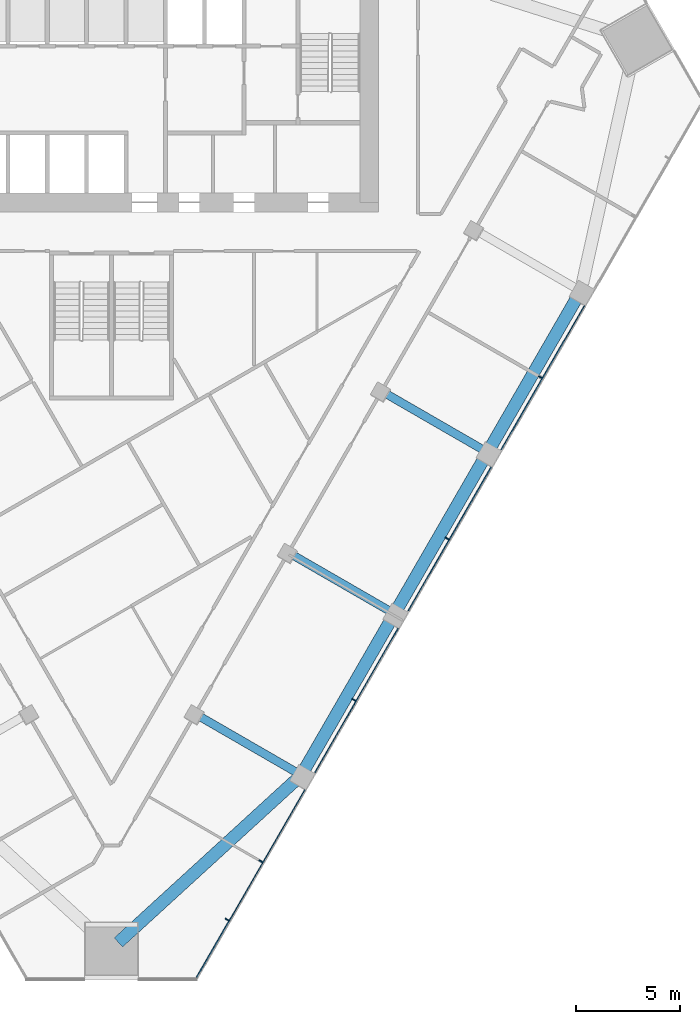
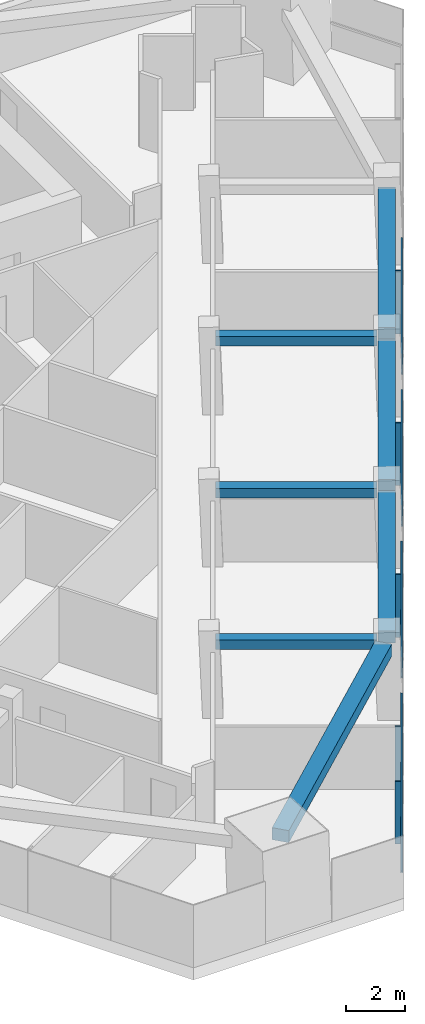
# One storey, part 4 of 14: 9 members, 7 beams, 1 element without a shape of its own.
"""IFC4 building model written with IfcOpenShell, lengths in metres."""

from ifc_helpers import new_model, si_unit, direction, frame, origin, origin_2d, place, context, subcontext, project, spatial, rectangle, extrude, material, layer, layer_set, material_profile, profile_set, type_object, element, aggregate, save


model = new_model("IFC4")

# Units and contexts
model_context = context("Model", 3, precision=1e-05, world=origin(), true_north=direction((0.0, 1.0)))
body_context = subcontext(model_context, "Body", "Model", "MODEL_VIEW")
ifc_project = project(units=[si_unit("LENGTHUNIT", "METRE"), si_unit("AREAUNIT", "SQUARE_METRE"), si_unit("VOLUMEUNIT", "CUBIC_METRE"), si_unit("PLANEANGLEUNIT", "RADIAN"), si_unit("MASSUNIT", "GRAM", prefix="KILO")], contexts=[model_context])

# Site, building, storey
site_placement = place(None, origin())
site = spatial("IfcSite", under=ifc_project, at=site_placement, CompositionType="ELEMENT")
building_placement = place(site_placement, origin())
building = spatial("IfcBuilding", under=site, at=building_placement, Name="Altiplano Prism Tower", CompositionType="ELEMENT")
storey_placement = place(building_placement, frame((0.0, 0.0, 108.0)))
storey = spatial("IfcBuildingStorey", under=building, at=storey_placement, Name="L27", CompositionType="ELEMENT", Elevation=108.0)

# Curtain wall, members
ifc_material_1 = material(Name="Aluminium and glass", Category="aluminium")
ifc_layer = layer(ifc_material_1, 0.303955078125)
ifc_layer_set = layer_set([ifc_layer], Name="Aluminium and glass")
curtain_wall_type = type_object("IfcCurtainWallType", Name="CW2 lounge-band unitised glazing", PredefinedType="NOTDEFINED", material=ifc_layer_set)
curtain_wall_placement = place(storey_placement, origin())
curtain_wall = element("IfcCurtainWall", 1, at=curtain_wall_placement, inside=storey, type_object=curtain_wall_type, Name="CW2 curtain wall south-east face L27", PredefinedType="NOTDEFINED")
ifc_material_2 = material(Name="Aluminium", Category="aluminium")
ifc_material_profile_1 = material_profile(ifc_material_2, rectangle(XDim=0.199951171875, YDim=0.06005859375, at=origin_2d()), Name="CW2 mullion 60 x 200")
ifc_profile_set_1 = profile_set([ifc_material_profile_1], Name="Aluminium")
member_type_1 = type_object("IfcMemberType", Name="CW2 mullion 60 x 200", PredefinedType="MULLION", material=ifc_profile_set_1)
member_1_placement = place(storey_placement, frame((90.583740234375, 58.31396484375, 0.0), z_axis=(0.0, 0.0, 1.0), x_axis=(-0.866025409675, 0.499999989797, 0.0)))
member_1 = element("IfcMember", 2, at=member_1_placement, type_object=member_type_1, Name="CW2 mullion", PredefinedType="MULLION", context=body_context, shape_type="SweptSolid", body=[
    extrude(rectangle(XDim=0.199951171875, YDim=0.06005859375, at=origin_2d()), origin(), (0.0, 0.0, 1.0), 2.60009765625),
])
member_2_placement = place(storey_placement, frame((92.210205078125, 61.130859375, 0.0), z_axis=(0.0, 0.0, 1.0), x_axis=(-0.866025409675, 0.499999989797, 0.0)))
member_2 = element("IfcMember", 3, at=member_2_placement, type_object=member_type_1, Name="CW2 mullion", PredefinedType="MULLION", context=body_context, shape_type="SweptSolid", body=[
    extrude(rectangle(XDim=0.199951171875, YDim=0.06005859375, at=origin_2d()), origin(), (0.0, 0.0, 1.0), 2.60009765625),
])
member_3_placement = place(storey_placement, frame((96.710205078125, 68.925048828125, 0.0), z_axis=(0.0, 0.0, 1.0), x_axis=(-0.866025409675, 0.499999989797, 0.0)))
member_3 = element("IfcMember", 4, at=member_3_placement, type_object=member_type_1, Name="CW2 mullion", PredefinedType="MULLION", context=body_context, shape_type="SweptSolid", body=[
    extrude(rectangle(XDim=0.199951171875, YDim=0.06005859375, at=origin_2d()), origin(), (0.0, 0.0, 1.0), 2.60009765625),
])
member_4_placement = place(storey_placement, frame((101.210205078125, 76.71923828125, 0.0), z_axis=(0.0, 0.0, 1.0), x_axis=(-0.866025409675, 0.499999989797, 0.0)))
member_4 = element("IfcMember", 5, at=member_4_placement, type_object=member_type_1, Name="CW2 mullion", PredefinedType="MULLION", context=body_context, shape_type="SweptSolid", body=[
    extrude(rectangle(XDim=0.199951171875, YDim=0.06005859375, at=origin_2d()), origin(), (0.0, 0.0, 1.0), 2.60009765625),
])
member_5_placement = place(storey_placement, frame((105.710205078125, 84.513427734375, 0.0), z_axis=(0.0, 0.0, 1.0), x_axis=(-0.866025409675, 0.499999989797, 0.0)))
member_5 = element("IfcMember", 6, at=member_5_placement, type_object=member_type_1, Name="CW2 mullion", PredefinedType="MULLION", context=body_context, shape_type="SweptSolid", body=[
    extrude(rectangle(XDim=0.199951171875, YDim=0.06005859375, at=origin_2d()), origin(), (0.0, 0.0, 1.0), 2.60009765625),
])
ifc_material_profile_2 = material_profile(ifc_material_2, rectangle(XDim=0.06005859375, YDim=0.080078125, at=origin_2d()), Name="CW2 transom 80 x 60")
ifc_profile_set_2 = profile_set([ifc_material_profile_2], Name="Aluminium")
member_type_2 = type_object("IfcMemberType", Name="CW2 transom 80 x 60", PredefinedType="USERDEFINED", material=ifc_profile_set_2)
member_6_placement = place(storey_placement, frame((89.070068359375, 55.43212890625, 1.10009765625), z_axis=(0.500000102728, 0.866025344474, 0.0), x_axis=(-0.866025344474, 0.500000102728, 0.0)))
member_6 = element("IfcMember", 7, at=member_6_placement, type_object=member_type_2, Name="CW2 transom", ObjectType="TRANSOM", PredefinedType="USERDEFINED", context=body_context, shape_type="SweptSolid", body=[
    extrude(rectangle(XDim=0.06005859375, YDim=0.080078125, at=origin_2d()), origin(), (0.0, 0.0, 1.0), 10.5546875),
])
member_7_placement = place(storey_placement, frame((94.83740234375, 65.42138671875, 1.10009765625), z_axis=(0.499999136801, 0.866025902152, 0.0), x_axis=(-0.866025902152, 0.499999136801, 0.0)))
member_7 = element("IfcMember", 8, at=member_7_placement, type_object=member_type_2, Name="CW2 transom", ObjectType="TRANSOM", PredefinedType="USERDEFINED", context=body_context, shape_type="SweptSolid", body=[
    extrude(rectangle(XDim=0.06005859375, YDim=0.080078125, at=origin_2d()), origin(), (0.0, 0.0, 1.0), 8.02001953125),
])
member_8_placement = place(storey_placement, frame((99.33740234375, 73.2158203125, 1.10009765625), z_axis=(0.500012318566, 0.86601829154, 0.0), x_axis=(-0.86601829154, 0.500012318566, 0.0)))
member_8 = element("IfcMember", 9, at=member_8_placement, type_object=member_type_2, Name="CW2 transom", ObjectType="TRANSOM", PredefinedType="USERDEFINED", context=body_context, shape_type="SweptSolid", body=[
    extrude(rectangle(XDim=0.06005859375, YDim=0.080078125, at=origin_2d()), origin(), (0.0, 0.0, 1.0), 8.019775390625),
])
member_9_placement = place(storey_placement, frame((103.83740234375, 81.010009765625, 1.10009765625), z_axis=(0.500012318566, 0.86601829154, 0.0), x_axis=(-0.86601829154, 0.500012318566, 0.0)))
member_9 = element("IfcMember", 10, at=member_9_placement, type_object=member_type_2, Name="CW2 transom", ObjectType="TRANSOM", PredefinedType="USERDEFINED", context=body_context, shape_type="SweptSolid", body=[
    extrude(rectangle(XDim=0.06005859375, YDim=0.080078125, at=origin_2d()), origin(), (0.0, 0.0, 1.0), 8.019775390625),
])
aggregate(curtain_wall, [member_1, member_2, member_6, member_3, member_7, member_4, member_8, member_5, member_9])

# Beams
ifc_material_3 = material(Name="Concrete C60/75", Category="concrete")
ifc_material_profile_3 = material_profile(ifc_material_3, rectangle(XDim=0.60009765625, YDim=0.5, at=origin_2d()), Name="Edge beam 600x500")
ifc_profile_set_3 = profile_set([ifc_material_profile_3], Name="Concrete C60/75")
beam_type_1 = type_object("IfcBeamType", Name="Edge beam 600x500", PredefinedType="SPANDREL", material=ifc_profile_set_3)
beam_placement = place(storey_placement, frame((85.33203125, 57.209228515625, 2.85009765625), z_axis=(0.737917601321, 0.674890816104, 0.0), x_axis=(-0.674890816104, 0.737917601321, 0.0)))
element("IfcBeam", 11, at=beam_placement, inside=storey, type_object=beam_type_1, Name="Edge beam M1-P21 L28", PredefinedType="SPANDREL", context=body_context, shape_type="SweptSolid", body=[
    extrude(rectangle(XDim=0.60009765625, YDim=0.5, at=origin_2d()), origin(), (0.0, 0.0, 1.0), 11.620849609375),
])
for number, where, z_axis, x_axis, name in (
    (12, (94.33203125, 65.5751953125, 2.85009765625), (0.499992746786, 0.866029591389, 0.0), (-0.866029591389, 0.499992746786, 0.0), "Edge beam P21-P22 L28"),
    (13, (98.83203125, 73.36962890625, 2.85009765625), (0.500005422763, 0.866022272928, 0.0), (-0.866022272928, 0.500005422763, 0.0), "Edge beam P22-P23 L28"),
    (14, (103.33203125, 81.163818359375, 2.85009765625), (0.499992746786, 0.866029591389, 0.0), (-0.866029591389, 0.499992746786, 0.0), "Edge beam P23-P24 L28"),
):
    element("IfcBeam", number, at=place(storey_placement, frame(where, z_axis=z_axis, x_axis=x_axis)), inside=storey, type_object=beam_type_1, Name=name, PredefinedType="SPANDREL", context=body_context, shape_type="SweptSolid", body=[
        extrude(rectangle(XDim=0.60009765625, YDim=0.5, at=origin_2d()), origin(), (0.0, 0.0, 1.0), 8.33984375),
    ])
ifc_material_profile_4 = material_profile(ifc_material_3, rectangle(XDim=0.39990234375, YDim=0.39990234375, at=origin_2d()), Name="Tie beam 400x400")
ifc_profile_set_4 = profile_set([ifc_material_profile_4], Name="Concrete C60/75")
beam_type_2 = type_object("IfcBeamType", Name="Tie beam 400x400", PredefinedType="BEAM", material=ifc_profile_set_4)
for number, where, z_axis, x_axis, name in (
    (15, (89.126708984375, 68.199462890625, 2.89990234375), (0.866042665983, -0.499970099802, 0.0), (0.499970099802, 0.866042665983, 0.0), "Tie beam I21 L28"),
    (16, (93.626708984375, 75.99365234375, 2.89990234375), (0.866042665983, -0.499970099802, 0.0), (0.499970099802, 0.866042665983, 0.0), "Tie beam I22 L28"),
    (17, (98.126708984375, 83.787841796875, 2.89990234375), (0.866042665983, -0.499970099802, 0.0), (0.499970099802, 0.866042665983, 0.0), "Tie beam I23 L28"),
):
    element("IfcBeam", number, at=place(storey_placement, frame(where, z_axis=z_axis, x_axis=x_axis)), inside=storey, type_object=beam_type_2, Name=name, PredefinedType="BEAM", context=body_context, shape_type="SweptSolid", body=[
        extrude(rectangle(XDim=0.39990234375, YDim=0.39990234375, at=origin_2d()), origin(), (0.0, 0.0, 1.0), 5.489990234375),
    ])

save(model, "model.ifc")
